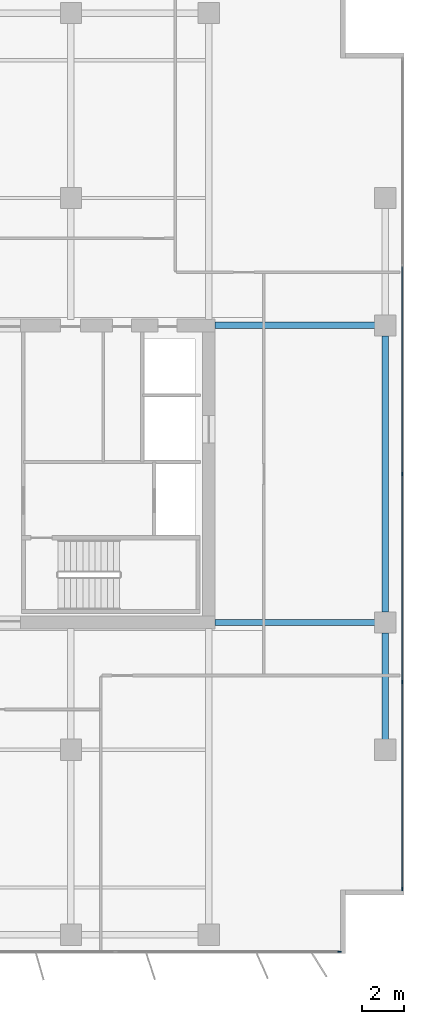
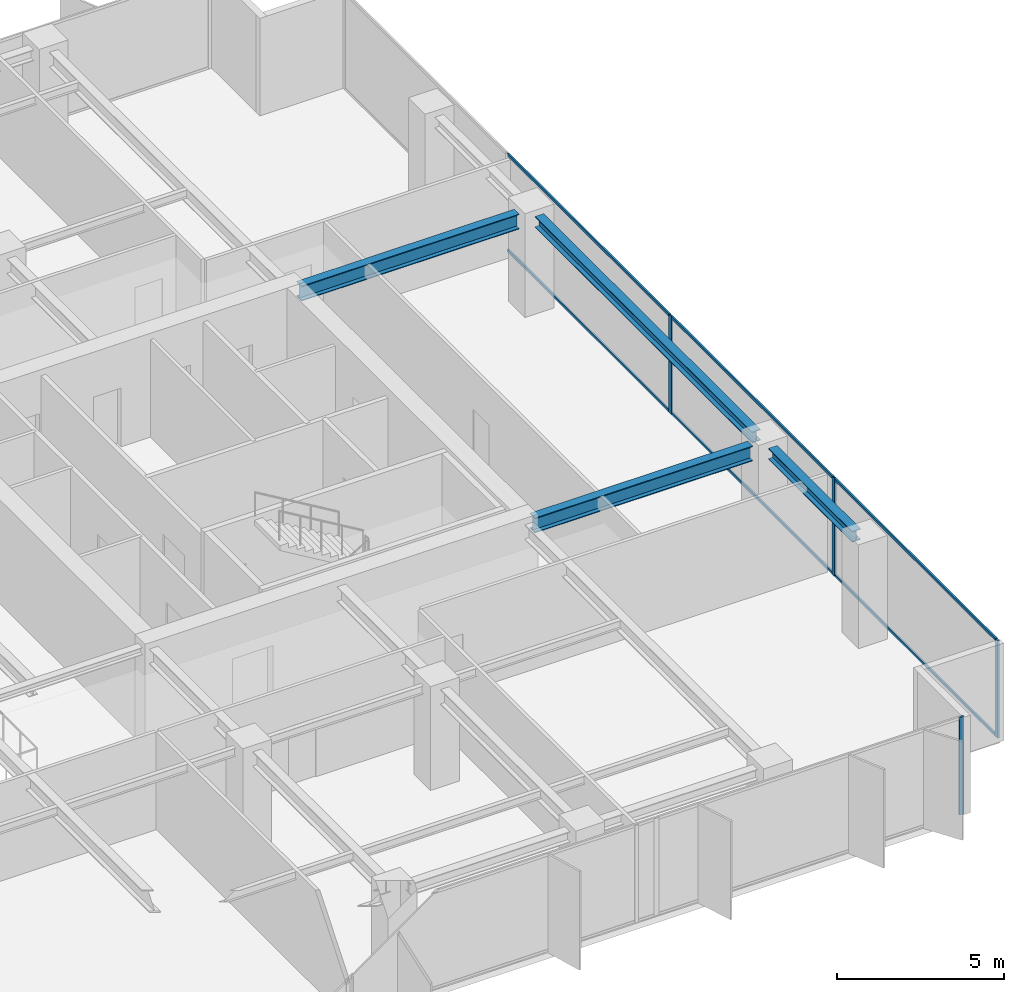
# One storey, part 12 of 22: 10 members, 4 beams, 2 elements without a shape of their own.
"""IFC4 building model written with IfcOpenShell, lengths in metres."""

import ifcopenshell
import ifcopenshell.guid

model = None  # the IFC model being written
_history = None  # IfcOwnerHistory: only IFC2X3 demands one
_inside = {}  # id of a spatial element -> (the spatial element, [elements in it])
_under = {}  # id of a project, library or spatial element -> (it, [spatial elements below it])
_declared = {}  # id of a project -> (the project, [libraries it declares])
_typed = {}  # id of a type object -> (the type object, [elements of that type])
_made_of = {}  # id of a material, layer set ... -> (it, [elements and type objects made of it])


def new_model(schema):
    """Start an empty IFC model of exactly this schema.

    Asked for "IFC4X3", IfcOpenShell would pick the latest addendum, in which some entities
    have other attributes; the version numbers below select the first issue.
    IFC2X3 requires an IfcOwnerHistory on every rooted entity: one is made here for all.
    """
    global model, _history
    if schema == "IFC4X3":
        model = ifcopenshell.file(schema_version=(4, 3, 0, 0))
    else:
        model = ifcopenshell.file(schema=schema)
    _inside.clear()
    _under.clear()
    _declared.clear()
    _typed.clear()
    _made_of.clear()
    _history = None
    if model.schema == "IFC2X3":
        org = make("IfcOrganization", Name="unknown")
        user = make(
            "IfcPersonAndOrganization",
            ThePerson=make("IfcPerson", FamilyName="unknown"),
            TheOrganization=org,
        )
        app = make(
            "IfcApplication",
            ApplicationDeveloper=org,
            Version="unknown",
            ApplicationFullName="unknown",
            ApplicationIdentifier="unknown",
        )
        _history = make(
            "IfcOwnerHistory",
            OwningUser=user,
            OwningApplication=app,
            ChangeAction="ADDED",
            CreationDate=0,
        )
    return model


def make(cls, **values):
    """One entity of the class cls with the attributes given. An attribute that is None is left unset."""
    return model.create_entity(
        cls, **{name: value for name, value in values.items() if value is not None}
    )


def rooted(cls, **values):
    """An entity with a GlobalId (a new one), such as an element, a storey or a relation."""
    return make(cls, GlobalId=ifcopenshell.guid.new(), OwnerHistory=_history, **values)


def si_unit(unit_type, name, prefix=None):
    """IfcSIUnit, for example si_unit("LENGTHUNIT", "METRE", prefix="MILLI")."""
    return make("IfcSIUnit", UnitType=unit_type, Prefix=prefix, Name=name)


def assignment(units):
    """IfcUnitAssignment: the units of a project."""
    return None if units is None else make("IfcUnitAssignment", Units=units)


def point(xyz):
    """IfcCartesianPoint."""
    return None if xyz is None else make("IfcCartesianPoint", Coordinates=xyz)


def direction(xyz):
    """IfcDirection."""
    return None if xyz is None else make("IfcDirection", DirectionRatios=xyz)


def frame(location, z_axis=None, x_axis=None):
    """IfcAxis2Placement3D, a coordinate frame: its origin and axes. An axis left out is left unset."""
    return make(
        "IfcAxis2Placement3D",
        Location=point(location),
        Axis=direction(z_axis),
        RefDirection=direction(x_axis),
    )


def frame_2d(location, x_axis=None):
    """IfcAxis2Placement2D, a coordinate frame in the plane: its origin and x axis."""
    return make(
        "IfcAxis2Placement2D", Location=point(location), RefDirection=direction(x_axis)
    )


def origin():
    """The frame at (0, 0, 0) with its axes left unset."""
    return frame((0.0, 0.0, 0.0))


def origin_2d():
    """The frame at (0, 0) in the plane with its x axis left unset."""
    return frame_2d((0.0, 0.0))


def place(relative_to, where):
    """IfcLocalPlacement: puts the frame where relative to a parent placement (None: the world)."""
    return make(
        "IfcLocalPlacement", PlacementRelTo=relative_to, RelativePlacement=where
    )


def context(
    kind, dimensions, precision=None, world=None, true_north=None, identifier=None
):
    """IfcGeometricRepresentationContext, for example the 3D "Model" context."""
    return make(
        "IfcGeometricRepresentationContext",
        ContextIdentifier=identifier,
        ContextType=kind,
        CoordinateSpaceDimension=dimensions,
        Precision=precision,
        WorldCoordinateSystem=world,
        TrueNorth=true_north,
    )


def subcontext(parent, identifier, kind, view, scale=None):
    """IfcGeometricRepresentationSubContext, for example "Body" below "Model"."""
    return make(
        "IfcGeometricRepresentationSubContext",
        ContextIdentifier=identifier,
        ContextType=kind,
        ParentContext=parent,
        TargetScale=scale,
        TargetView=view,
    )


def project(units=None, contexts=None):
    """IfcProject with its units and contexts."""
    return rooted(
        "IfcProject",
        Name="project",
        RepresentationContexts=contexts,
        UnitsInContext=assignment(units),
    )


def spatial(cls, under=None, at=None, **own):
    """A site, building, storey or space (cls), placed at a placement, below another one or the project."""
    s = rooted(cls, ObjectPlacement=at, **own)
    if under is not None:
        _under.setdefault(under.id(), (under, []))[1].append(s)
    return s


def profile(cls, at=None, kind="AREA", **sizes):
    """A parametric profile (cls). Its sizes go by their IFC names, for example OverallWidth=200.0."""
    return make(cls, ProfileType=kind, Position=at, **sizes)


def rectangle(**sizes):
    """IfcRectangleProfileDef."""
    return profile("IfcRectangleProfileDef", **sizes)


def i_section(**sizes):
    """IfcIShapeProfileDef."""
    return profile("IfcIShapeProfileDef", **sizes)


def extrude(swept, where, along, depth):
    """IfcExtrudedAreaSolid: the profile swept, set in the frame where, extruded along a direction by depth."""
    return make(
        "IfcExtrudedAreaSolid",
        SweptArea=swept,
        Position=where,
        ExtrudedDirection=direction(along),
        Depth=depth,
    )


def shape(context_of_items, identifier, shape_type, items):
    """IfcShapeRepresentation: the items that make up one representation, for example the "Body"."""
    return make(
        "IfcShapeRepresentation",
        ContextOfItems=context_of_items,
        RepresentationIdentifier=identifier,
        RepresentationType=shape_type,
        Items=items,
    )


def material(Name=None, Category=None):
    """IfcMaterial."""
    return make("IfcMaterial", Name=Name, Category=Category)


def layer(
    of_material, thickness, ventilated=None, Name=None, Category=None, Priority=None
):
    """IfcMaterialLayer: one layer of a wall or slab, of a material (None: an air gap)."""
    return make(
        "IfcMaterialLayer",
        Material=of_material,
        LayerThickness=thickness,
        IsVentilated=ventilated,
        Name=Name,
        Category=Category,
        Priority=Priority,
    )


def layer_set(layers, Name=None):
    """IfcMaterialLayerSet."""
    return make("IfcMaterialLayerSet", MaterialLayers=layers, LayerSetName=Name)


def material_profile(
    of_material, cross_section, Name=None, Category=None, Priority=None
):
    """IfcMaterialProfile: a cross section and its material."""
    return make(
        "IfcMaterialProfile",
        Name=Name,
        Material=of_material,
        Profile=cross_section,
        Priority=Priority,
        Category=Category,
    )


def profile_set(profiles, Name=None, composite=None):
    """IfcMaterialProfileSet."""
    return make(
        "IfcMaterialProfileSet",
        Name=Name,
        MaterialProfiles=profiles,
        CompositeProfile=composite,
    )


def made_of(thing, what):
    """Note that an element or type object is made of a material, layer set ...; save() writes the relation."""
    if what is not None:
        _made_of.setdefault(what.id(), (what, []))[1].append(thing)
    return thing


def type_object(cls, material=None, **own):
    """A type object (cls), such as IfcWallType, which elements share."""
    return made_of(rooted(cls, **own), material)


def element(
    cls,
    number,
    at=None,
    inside=None,
    cuts=None,
    type_object=None,
    material=None,
    context=None,
    identifier="Body",
    shape_type=None,
    held_by="IfcProductDefinitionShape",
    body=None,
    shapes=None,
    **own,
):
    """One element of the class cls, such as IfcWall. Its Tag is "e" and its number.

    at: its placement. inside: the storey or other place that contains it. cuts: it is an
    opening in that element (IfcRelVoidsElement). A single representation is given by context,
    identifier, shape_type and body (its items); several are given by shapes. held_by: the class
    of the entity that holds the representations. save() writes the other relations.
    """
    e = rooted(cls, Tag="e%d" % number, ObjectPlacement=at, **own)
    if body is not None:
        shapes = [shape(context, identifier, shape_type, body)]
    if shapes is not None:
        e.Representation = make(held_by, Representations=shapes)
    if inside is not None:
        _inside.setdefault(inside.id(), (inside, []))[1].append(e)
    if cuts is not None:
        rooted(
            "IfcRelVoidsElement", RelatingBuildingElement=cuts, RelatedOpeningElement=e
        )
    if type_object is not None:
        _typed.setdefault(type_object.id(), (type_object, []))[1].append(e)
    return made_of(e, material)


def aggregate(whole, parts):
    """IfcRelAggregates: a whole, such as a stair, and the parts it consists of."""
    return rooted("IfcRelAggregates", RelatingObject=whole, RelatedObjects=parts)


def save(model, path):
    """Write the relations noted so far, then the file.

    IfcRelAggregates (storeys below a building ...), IfcRelContainedInSpatialStructure (elements
    in a storey), IfcRelDefinesByType, IfcRelAssociatesMaterial and IfcRelDeclares: one each for
    every whole, place, type object, material and project.
    """
    for whole, parts in _under.values():
        aggregate(whole, parts)
    for where, things in _inside.values():
        rooted(
            "IfcRelContainedInSpatialStructure",
            RelatedElements=things,
            RelatingStructure=where,
        )
    for kind, things in _typed.values():
        rooted("IfcRelDefinesByType", RelatedObjects=things, RelatingType=kind)
    for what, things in _made_of.values():
        rooted("IfcRelAssociatesMaterial", RelatedObjects=things, RelatingMaterial=what)
    for by, libraries in _declared.values():
        rooted("IfcRelDeclares", RelatingContext=by, RelatedDefinitions=libraries)
    model.write(path)


model = new_model("IFC4")

# Units and contexts
model_context = context("Model", 3, precision=1e-05, world=origin(), true_north=direction((0.0, 1.0)))
body_context = subcontext(model_context, "Body", "Model", "MODEL_VIEW")
ifc_project = project(units=[si_unit("LENGTHUNIT", "METRE"), si_unit("AREAUNIT", "SQUARE_METRE"), si_unit("VOLUMEUNIT", "CUBIC_METRE"), si_unit("PLANEANGLEUNIT", "RADIAN"), si_unit("MASSUNIT", "GRAM", prefix="KILO")], contexts=[model_context])

# Site, building, storey
site_placement = place(None, origin())
site = spatial("IfcSite", under=ifc_project, at=site_placement, CompositionType="ELEMENT")
building_placement = place(site_placement, origin())
building = spatial("IfcBuilding", under=site, at=building_placement, Name="Putna Gate Headquarters", CompositionType="ELEMENT")
storey_placement = place(building_placement, frame((0.0, 0.0, 155.60009765625)))
storey = spatial("IfcBuildingStorey", under=building, at=storey_placement, Name="L38", CompositionType="ELEMENT", Elevation=155.60009765625)

# Beams
ifc_material_1 = material(Name="Steel S355J2", Category="steel")
ifc_material_profile_1 = material_profile(ifc_material_1, i_section(OverallWidth=0.300048828125, OverallDepth=0.550048828125, WebThickness=0.014892578125, FlangeThickness=0.029052734375, at=origin_2d()), Name="Steel S355J2")
ifc_profile_set_1 = profile_set([ifc_material_profile_1], Name="Steel S355J2")
beam_type_1 = type_object("IfcBeamType", Name="BM-GIRD-Z3-HEB550", PredefinedType="USERDEFINED", material=ifc_profile_set_1)
for number, where, z_axis, x_axis, name in (
    (1, (65.284912109375, 19.0, 3.296875), (1.0, 0.0, 0.0), (0.0, 1.0, 0.0), "L38 East Wing Girder Y19"),
    (2, (65.284912109375, 33.0, 3.296875), (1.0, 0.0, 0.0), (0.0, 1.0, 0.0), "L38 East Wing Girder Y33"),
):
    element("IfcBeam", number, at=place(storey_placement, frame(where, z_axis=z_axis, x_axis=x_axis)), inside=storey, type_object=beam_type_1, Name=name, ObjectType="GIRDER", PredefinedType="USERDEFINED", context=body_context, shape_type="SweptSolid", body=[
        extrude(i_section(OverallWidth=0.300048828125, OverallDepth=0.550048828125, WebThickness=0.014892578125, FlangeThickness=0.029052734375, at=origin_2d()), origin(), (0.0, 0.0, 1.0), 7.547119140625),
    ])
ifc_material_profile_2 = material_profile(ifc_material_1, i_section(OverallWidth=0.300048828125, OverallDepth=0.39990234375, WebThickness=0.013427734375, FlangeThickness=0.02392578125, at=origin_2d()), Name="Steel S355J2")
ifc_profile_set_2 = profile_set([ifc_material_profile_2], Name="Steel S355J2")
beam_type_2 = type_object("IfcBeamType", Name="BM-SPAN-Z3-HEB400", PredefinedType="SPANDREL", material=ifc_profile_set_2)
beam_1_placement = place(storey_placement, frame((73.320068359375, 13.488037109375, 3.371826171875), z_axis=(0.0, 1.0, 0.0), x_axis=(-1.0, 0.0, 0.0)))
element("IfcBeam", 3, at=beam_1_placement, inside=storey, type_object=beam_type_2, Name="L38 E End Spandrel 1", PredefinedType="SPANDREL", context=body_context, shape_type="SweptSolid", body=[
    extrude(i_section(OverallWidth=0.300048828125, OverallDepth=0.39990234375, WebThickness=0.013427734375, FlangeThickness=0.02392578125, at=origin_2d()), origin(), (0.0, 0.0, 1.0), 5.02392578125),
])
beam_2_placement = place(storey_placement, frame((73.320068359375, 19.488037109375, 3.371826171875), z_axis=(0.0, 1.0, 0.0), x_axis=(-1.0, 0.0, 0.0)))
element("IfcBeam", 4, at=beam_2_placement, inside=storey, type_object=beam_type_2, Name="L38 E End Spandrel 2", PredefinedType="SPANDREL", context=body_context, shape_type="SweptSolid", body=[
    extrude(i_section(OverallWidth=0.300048828125, OverallDepth=0.39990234375, WebThickness=0.013427734375, FlangeThickness=0.02392578125, at=origin_2d()), origin(), (0.0, 0.0, 1.0), 13.02392578125),
])

# Curtain wall, member
ifc_material_2 = material(Name="Anodised bronze aluminium curtain wall", Category="aluminium")
ifc_layer = layer(ifc_material_2, 0.159912109375)
ifc_layer_set = layer_set([ifc_layer], Name="Anodised bronze aluminium curtain wall")
curtain_wall_type = type_object("IfcCurtainWallType", Name="CW-SYS-Z3", PredefinedType="USERDEFINED", material=ifc_layer_set)
curtain_wall_1_placement = place(storey_placement, origin())
curtain_wall_1 = element("IfcCurtainWall", 5, at=curtain_wall_1_placement, inside=storey, type_object=curtain_wall_type, Name="L38 South East Curtain Wall", ObjectType="STICK CURTAIN WALL", PredefinedType="USERDEFINED")
ifc_material_3 = material(Name="Anodised bronze aluminium EN AW-6060", Category="aluminium")
ifc_material_profile_3 = material_profile(ifc_material_3, rectangle(XDim=0.06494140625, YDim=0.159912109375, at=origin_2d()), Name="Anodised bronze aluminium EN AW-6060")
ifc_profile_set_3 = profile_set([ifc_material_profile_3], Name="Anodised bronze aluminium EN AW-6060")
member_type_1 = type_object("IfcMemberType", Name="MULL-CWM-3", PredefinedType="MULLION", material=ifc_profile_set_3)
member_1_placement = place(storey_placement, frame((71.16748046875, 3.47998046875, 0.0), z_axis=(0.0, 0.0, 1.0), x_axis=(0.0, 1.0, 0.0)))
member_1 = element("IfcMember", 6, at=member_1_placement, type_object=member_type_1, Name="CWS-3 mullion 3", PredefinedType="MULLION", context=body_context, shape_type="SweptSolid", body=[
    extrude(rectangle(XDim=0.06494140625, YDim=0.159912109375, at=origin_2d()), origin(), (0.0, 0.0, 1.0), 3.572021484375),
])
aggregate(curtain_wall_1, [member_1])

# Curtain wall, members
curtain_wall_2_placement = place(storey_placement, origin())
curtain_wall_2 = element("IfcCurtainWall", 7, at=curtain_wall_2_placement, inside=storey, type_object=curtain_wall_type, Name="L38 East Curtain Wall", ObjectType="STICK CURTAIN WALL", PredefinedType="USERDEFINED")
member_2_placement = place(storey_placement, frame((74.1201171875, 6.4326171875, 0.0), z_axis=(0.0, 0.0, 1.0), x_axis=(-1.0, 0.0, 0.0)))
member_2 = element("IfcMember", 8, at=member_2_placement, type_object=member_type_1, Name="CWS-3 mullion 1", PredefinedType="MULLION", context=body_context, shape_type="SweptSolid", body=[
    extrude(rectangle(XDim=0.06494140625, YDim=0.159912109375, at=origin_2d()), origin(), (0.0, 0.0, 1.0), 3.572021484375),
])
member_3_placement = place(storey_placement, frame((74.1201171875, 16.199951171875, 0.0), z_axis=(0.0, 0.0, 1.0), x_axis=(-1.0, 0.0, 0.0)))
member_3 = element("IfcMember", 9, at=member_3_placement, type_object=member_type_1, Name="CWS-3 mullion 2", PredefinedType="MULLION", context=body_context, shape_type="SweptSolid", body=[
    extrude(rectangle(XDim=0.06494140625, YDim=0.159912109375, at=origin_2d()), origin(), (0.0, 0.0, 1.0), 3.572021484375),
])
member_4_placement = place(storey_placement, frame((74.1201171875, 26.0, 0.0), z_axis=(0.0, 0.0, 1.0), x_axis=(-1.0, 0.0, 0.0)))
member_4 = element("IfcMember", 10, at=member_4_placement, type_object=member_type_1, Name="CWS-3 mullion 3", PredefinedType="MULLION", context=body_context, shape_type="SweptSolid", body=[
    extrude(rectangle(XDim=0.06494140625, YDim=0.159912109375, at=origin_2d()), origin(), (0.0, 0.0, 1.0), 3.572021484375),
])
ifc_material_profile_4 = material_profile(ifc_material_3, rectangle(XDim=0.06005859375, YDim=0.10009765625, at=origin_2d()), Name="Anodised bronze aluminium EN AW-6060")
ifc_profile_set_4 = profile_set([ifc_material_profile_4], Name="Anodised bronze aluminium EN AW-6060")
member_type_2 = type_object("IfcMemberType", Name="TRAN-CWT-3", PredefinedType="USERDEFINED", material=ifc_profile_set_4)
member_5_placement = place(storey_placement, frame((74.1201171875, 6.465087890625, 0.02978515625), z_axis=(0.0, 1.0, 0.0), x_axis=(-1.0, 0.0, 0.0)))
member_5 = element("IfcMember", 11, at=member_5_placement, type_object=member_type_2, Name="CWS-3 transom 1.1", ObjectType="TRANSOM", PredefinedType="USERDEFINED", context=body_context, shape_type="SweptSolid", body=[
    extrude(rectangle(XDim=0.06005859375, YDim=0.10009765625, at=origin_2d()), origin(), (0.0, 0.0, 1.0), 9.702392578125),
])
member_6_placement = place(storey_placement, frame((74.1201171875, 6.465087890625, 3.5419921875), z_axis=(0.0, 1.0, 0.0), x_axis=(-1.0, 0.0, 0.0)))
member_6 = element("IfcMember", 12, at=member_6_placement, type_object=member_type_2, Name="CWS-3 transom 1.2", ObjectType="TRANSOM", PredefinedType="USERDEFINED", context=body_context, shape_type="SweptSolid", body=[
    extrude(rectangle(XDim=0.06005859375, YDim=0.10009765625, at=origin_2d()), origin(), (0.0, 0.0, 1.0), 9.702392578125),
])
member_7_placement = place(storey_placement, frame((74.1201171875, 16.232421875, 0.02978515625), z_axis=(0.0, 1.0, 0.0), x_axis=(-1.0, 0.0, 0.0)))
member_7 = element("IfcMember", 13, at=member_7_placement, type_object=member_type_2, Name="CWS-3 transom 2.1", ObjectType="TRANSOM", PredefinedType="USERDEFINED", context=body_context, shape_type="SweptSolid", body=[
    extrude(rectangle(XDim=0.06005859375, YDim=0.10009765625, at=origin_2d()), origin(), (0.0, 0.0, 1.0), 9.735107421875),
])
member_8_placement = place(storey_placement, frame((74.1201171875, 16.232421875, 3.5419921875), z_axis=(0.0, 1.0, 0.0), x_axis=(-1.0, 0.0, 0.0)))
member_8 = element("IfcMember", 14, at=member_8_placement, type_object=member_type_2, Name="CWS-3 transom 2.2", ObjectType="TRANSOM", PredefinedType="USERDEFINED", context=body_context, shape_type="SweptSolid", body=[
    extrude(rectangle(XDim=0.06005859375, YDim=0.10009765625, at=origin_2d()), origin(), (0.0, 0.0, 1.0), 9.735107421875),
])
member_9_placement = place(storey_placement, frame((74.1201171875, 26.032470703125, 0.02978515625), z_axis=(0.0, 1.0, 0.0), x_axis=(-1.0, 0.0, 0.0)))
member_9 = element("IfcMember", 15, at=member_9_placement, type_object=member_type_2, Name="CWS-3 transom 3.1", ObjectType="TRANSOM", PredefinedType="USERDEFINED", context=body_context, shape_type="SweptSolid", body=[
    extrude(rectangle(XDim=0.06005859375, YDim=0.10009765625, at=origin_2d()), origin(), (0.0, 0.0, 1.0), 9.735107421875),
])
member_10_placement = place(storey_placement, frame((74.1201171875, 26.032470703125, 3.5419921875), z_axis=(0.0, 1.0, 0.0), x_axis=(-1.0, 0.0, 0.0)))
member_10 = element("IfcMember", 16, at=member_10_placement, type_object=member_type_2, Name="CWS-3 transom 3.2", ObjectType="TRANSOM", PredefinedType="USERDEFINED", context=body_context, shape_type="SweptSolid", body=[
    extrude(rectangle(XDim=0.06005859375, YDim=0.10009765625, at=origin_2d()), origin(), (0.0, 0.0, 1.0), 9.735107421875),
])
aggregate(curtain_wall_2, [member_2, member_3, member_4, member_5, member_6, member_7, member_8, member_9, member_10])

save(model, "model.ifc")
